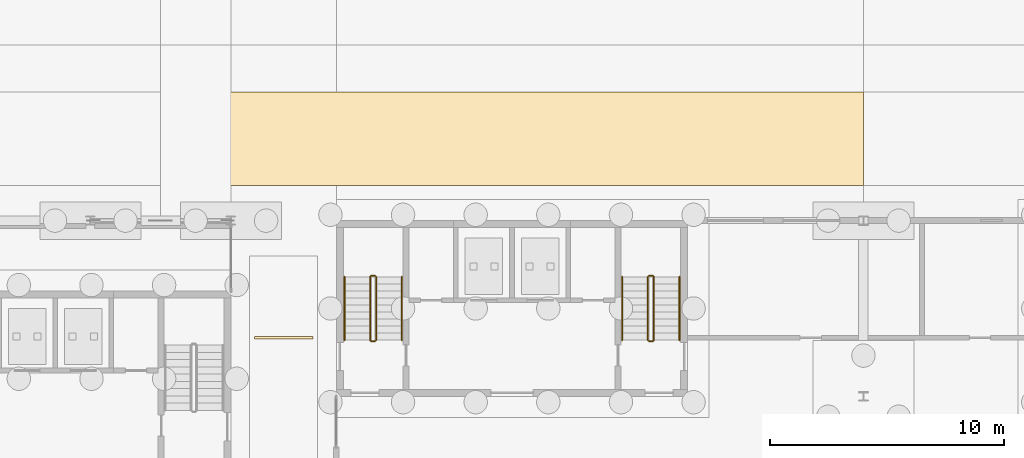
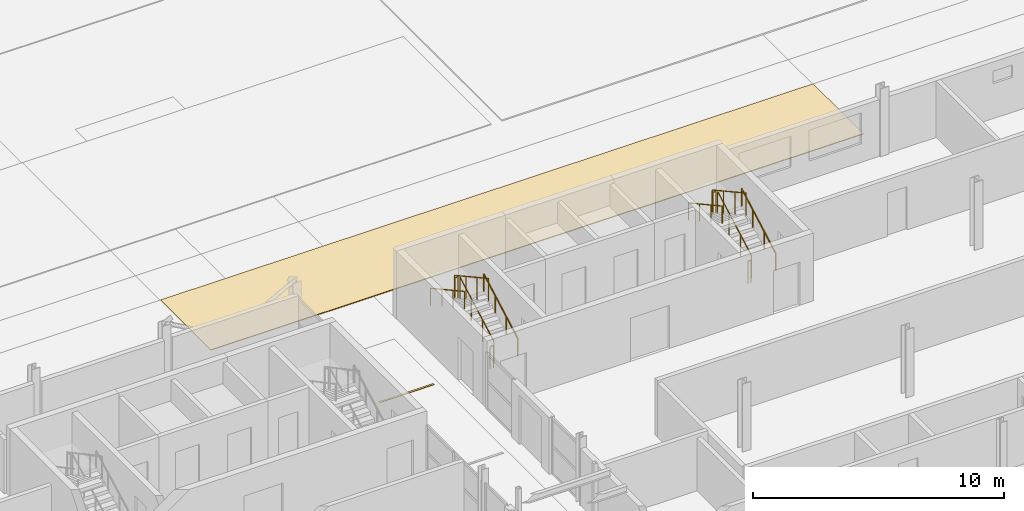
# One storey, part 109 of 130: 12 railings, 2 coverings.
"""IFC4 building model written with IfcOpenShell, lengths in metres."""

from ifc_helpers import new_model, si_unit, direction, frame, origin, origin_2d, place, context, subcontext, project, spatial, polyline, circle, outline, extrude, material, layer, layer_set, type_object, element, save


model = new_model("IFC4")

# Units and contexts
model_context = context("Model", 3, precision=1e-05, world=origin(), true_north=direction((0.0, 1.0)))
body_context = subcontext(model_context, "Body", "Model", "MODEL_VIEW")
ifc_project = project(units=[si_unit("LENGTHUNIT", "METRE"), si_unit("AREAUNIT", "SQUARE_METRE"), si_unit("VOLUMEUNIT", "CUBIC_METRE"), si_unit("PLANEANGLEUNIT", "RADIAN"), si_unit("MASSUNIT", "GRAM", prefix="KILO")], contexts=[model_context])

# Site, building, storey
site_placement = place(None, origin())
site = spatial("IfcSite", under=ifc_project, at=site_placement, CompositionType="ELEMENT")
building_placement = place(site_placement, origin())
building = spatial("IfcBuilding", under=site, at=building_placement, Name="Parallax Yard Mobility Hub", CompositionType="ELEMENT")
storey_placement = place(building_placement, origin())
storey = spatial("IfcBuildingStorey", under=building, at=storey_placement, Name="L00", CompositionType="ELEMENT", Elevation=0.0)

# Coverings
ifc_material_1 = material(Name="Thermoplastic road marking")
ifc_layer_1 = layer(ifc_material_1, 0.0048828125)
ifc_layer_set_1 = layer_set([ifc_layer_1], Name="Bay marking strip 5")
covering_type_1 = type_object("IfcCoveringType", Name="Bay marking strip 5", PredefinedType="USERDEFINED", material=ifc_layer_set_1)
covering_1_placement = place(storey_placement, frame((0.0, 0.0, 0.0400390625)))
element("IfcCovering", 1, at=covering_1_placement, inside=storey, type_object=covering_type_1, Name="Taxi rank bay line 8", ObjectType="ROAD MARKING", PredefinedType="USERDEFINED", context=body_context, shape_type="SweptSolid", body=[
    extrude(outline(polyline([(96.5, 47.449951171875), (96.5, 47.550048828125), (94.0, 47.550048828125), (94.0, 47.449951171875), (96.5, 47.449951171875)])), origin(), (0.0, 0.0, 1.0), 0.0048828125),
])
ifc_material_2 = material(Name="Concrete fc' 30 MPa", Category="concrete")
ifc_layer_2 = layer(ifc_material_2, 0.0400390625)
ifc_layer_set_2 = layer_set([ifc_layer_2], Name="Footway paving, Concrete fc' 30 MPa pavers 40")
covering_type_2 = type_object("IfcCoveringType", Name="Footway paving, Concrete fc' 30 MPa pavers 40", PredefinedType="USERDEFINED", material=ifc_layer_set_2)
covering_2_placement = place(storey_placement, origin())
element("IfcCovering", 2, at=covering_2_placement, inside=storey, type_object=covering_type_2, Name="Yard footway south surfacing 4", ObjectType="PAVING", PredefinedType="USERDEFINED", context=body_context, shape_type="SweptSolid", body=[
    extrude(outline(polyline([(120.0, 58.0), (120.0, 54.0), (90.0, 54.0), (90.0, 58.0), (120.0, 58.0)])), origin(), (0.0, 0.0, 1.0), 0.0400390625),
])

# Railings
ifc_material_3 = material(Name="Steel ASTM A36", Category="steel")
railing_type_1 = type_object("IfcRailingType", Name="Stair guard 1100", PredefinedType="GUARDRAIL", material=ifc_material_3)
railing_1_placement = place(storey_placement, frame((99.199951171875, 47.39990234375, 0.1650390625)))
element("IfcRailing", 3, at=railing_1_placement, inside=storey, type_object=railing_type_1, Name="L00 ST11 stair guard 1", PredefinedType="GUARDRAIL", context=body_context, shape_type="SweptSolid", body=[
    extrude(circle(Radius=0.02392578125, at=origin_2d()), frame((0.0, 0.0, 1.076171875), z_axis=(0.0, 0.876249361297, 0.481857921827), x_axis=(-1.0, 0.0, 0.0)), (0.0, 0.0, 1.0), 3.08154296875),
    extrude(circle(Radius=0.02099609375, at=origin_2d()), origin(), (0.0, 0.0, 1.0), 1.052001953125),
    extrude(circle(Radius=0.02099609375, at=origin_2d()), frame((0.0, 0.900146484375, 0.494873046875)), (0.0, 0.0, 1.0), 1.052001953125),
    extrude(circle(Radius=0.02099609375, at=origin_2d()), frame((0.0, 1.800048828125, 0.989990234375)), (0.0, 0.0, 1.0), 1.052001953125),
    extrude(circle(Radius=0.02099609375, at=origin_2d()), frame((0.0, 2.7001953125, 1.48486328125)), (0.0, 0.0, 1.0), 1.052001953125),
])
railing_2_placement = place(storey_placement, frame((99.14990234375, 50.14990234375, 1.64990234375)))
element("IfcRailing", 4, at=railing_2_placement, inside=storey, type_object=railing_type_1, Name="L00 ST11 stair guard 2", PredefinedType="GUARDRAIL", context=body_context, shape_type="SweptSolid", body=[
    extrude(circle(Radius=0.02392578125, at=origin_2d()), frame((0.0, 0.0, 1.076171875), z_axis=(-1.0, 0.0, 0.0), x_axis=(0.0, -1.0, 0.0)), (0.0, 0.0, 1.0), 0.14990234375),
    extrude(circle(Radius=0.02099609375, at=origin_2d()), origin(), (0.0, 0.0, 1.0), 1.052001953125),
    extrude(circle(Radius=0.02099609375, at=origin_2d()), frame((-0.14990234375, 0.0, 0.0)), (0.0, 0.0, 1.0), 1.052001953125),
])
railing_3_placement = place(storey_placement, frame((98.949951171875, 50.10009765625, 1.81494140625)))
element("IfcRailing", 5, at=railing_3_placement, inside=storey, type_object=railing_type_1, Name="L00 ST11 stair guard 3", PredefinedType="GUARDRAIL", context=body_context, shape_type="SweptSolid", body=[
    extrude(circle(Radius=0.02392578125, at=origin_2d()), frame((0.0, 0.0, 1.076171875), z_axis=(0.0, -0.876215908677, 0.481918749772), x_axis=(1.0, 0.0, 0.0)), (0.0, 0.0, 1.0), 3.08154296875),
    extrude(circle(Radius=0.02099609375, at=origin_2d()), origin(), (0.0, 0.0, 1.0), 1.052001953125),
    extrude(circle(Radius=0.02099609375, at=origin_2d()), frame((0.0, -0.900146484375, 0.4951171875)), (0.0, 0.0, 1.0), 1.052001953125),
    extrude(circle(Radius=0.02099609375, at=origin_2d()), frame((0.0, -1.800048828125, 0.989990234375)), (0.0, 0.0, 1.0), 1.052001953125),
    extrude(circle(Radius=0.02099609375, at=origin_2d()), frame((0.0, -2.7001953125, 1.485107421875)), (0.0, 0.0, 1.0), 1.052001953125),
])
railing_4_placement = place(storey_placement, frame((99.14990234375, 47.35009765625, 0.0)))
element("IfcRailing", 6, at=railing_4_placement, inside=storey, type_object=railing_type_1, Name="L00 ST11 stair guard 4", PredefinedType="GUARDRAIL", context=body_context, shape_type="SweptSolid", body=[
    extrude(circle(Radius=0.02392578125, at=origin_2d()), frame((0.0, 0.0, 1.076171875), z_axis=(-1.0, 0.0, 0.0), x_axis=(0.0, -1.0, 0.0)), (0.0, 0.0, 1.0), 0.14990234375),
    extrude(circle(Radius=0.02099609375, at=origin_2d()), origin(), (0.0, 0.0, 1.0), 1.052001953125),
    extrude(circle(Radius=0.02099609375, at=origin_2d()), frame((-0.14990234375, 0.0, 0.0)), (0.0, 0.0, 1.0), 1.052001953125),
])
railing_5_placement = place(storey_placement, frame((111.050048828125, 47.39990234375, 0.1650390625)))
element("IfcRailing", 7, at=railing_5_placement, inside=storey, type_object=railing_type_1, Name="L00 ST12 stair guard 1", PredefinedType="GUARDRAIL", context=body_context, shape_type="SweptSolid", body=[
    extrude(circle(Radius=0.02392578125, at=origin_2d()), frame((0.0, 0.0, 1.076171875), z_axis=(0.0, 0.876249361297, 0.481857921827), x_axis=(-1.0, 0.0, 0.0)), (0.0, 0.0, 1.0), 3.08154296875),
    extrude(circle(Radius=0.02099609375, at=origin_2d()), origin(), (0.0, 0.0, 1.0), 1.052001953125),
    extrude(circle(Radius=0.02099609375, at=origin_2d()), frame((0.0, 0.900146484375, 0.494873046875)), (0.0, 0.0, 1.0), 1.052001953125),
    extrude(circle(Radius=0.02099609375, at=origin_2d()), frame((0.0, 1.800048828125, 0.989990234375)), (0.0, 0.0, 1.0), 1.052001953125),
    extrude(circle(Radius=0.02099609375, at=origin_2d()), frame((0.0, 2.7001953125, 1.48486328125)), (0.0, 0.0, 1.0), 1.052001953125),
])
railing_6_placement = place(storey_placement, frame((111.0, 50.14990234375, 1.64990234375)))
element("IfcRailing", 8, at=railing_6_placement, inside=storey, type_object=railing_type_1, Name="L00 ST12 stair guard 2", PredefinedType="GUARDRAIL", context=body_context, shape_type="SweptSolid", body=[
    extrude(circle(Radius=0.02392578125, at=origin_2d()), frame((0.0, 0.0, 1.076171875), z_axis=(-1.0, 0.0, 0.0), x_axis=(0.0, -1.0, 0.0)), (0.0, 0.0, 1.0), 0.14990234375),
    extrude(circle(Radius=0.02099609375, at=origin_2d()), origin(), (0.0, 0.0, 1.0), 1.052001953125),
    extrude(circle(Radius=0.02099609375, at=origin_2d()), frame((-0.14990234375, 0.0, 0.0)), (0.0, 0.0, 1.0), 1.052001953125),
])
railing_7_placement = place(storey_placement, frame((110.800048828125, 50.10009765625, 1.81494140625)))
element("IfcRailing", 9, at=railing_7_placement, inside=storey, type_object=railing_type_1, Name="L00 ST12 stair guard 3", PredefinedType="GUARDRAIL", context=body_context, shape_type="SweptSolid", body=[
    extrude(circle(Radius=0.02392578125, at=origin_2d()), frame((0.0, 0.0, 1.076171875), z_axis=(0.0, -0.876215908677, 0.481918749772), x_axis=(1.0, 0.0, 0.0)), (0.0, 0.0, 1.0), 3.08154296875),
    extrude(circle(Radius=0.02099609375, at=origin_2d()), origin(), (0.0, 0.0, 1.0), 1.052001953125),
    extrude(circle(Radius=0.02099609375, at=origin_2d()), frame((0.0, -0.900146484375, 0.4951171875)), (0.0, 0.0, 1.0), 1.052001953125),
    extrude(circle(Radius=0.02099609375, at=origin_2d()), frame((0.0, -1.800048828125, 0.989990234375)), (0.0, 0.0, 1.0), 1.052001953125),
    extrude(circle(Radius=0.02099609375, at=origin_2d()), frame((0.0, -2.7001953125, 1.485107421875)), (0.0, 0.0, 1.0), 1.052001953125),
])
railing_8_placement = place(storey_placement, frame((111.0, 47.35009765625, 0.0)))
element("IfcRailing", 10, at=railing_8_placement, inside=storey, type_object=railing_type_1, Name="L00 ST12 stair guard 4", PredefinedType="GUARDRAIL", context=body_context, shape_type="SweptSolid", body=[
    extrude(circle(Radius=0.02392578125, at=origin_2d()), frame((0.0, 0.0, 1.076171875), z_axis=(-1.0, 0.0, 0.0), x_axis=(0.0, -1.0, 0.0)), (0.0, 0.0, 1.0), 0.14990234375),
    extrude(circle(Radius=0.02099609375, at=origin_2d()), origin(), (0.0, 0.0, 1.0), 1.052001953125),
    extrude(circle(Radius=0.02099609375, at=origin_2d()), frame((-0.14990234375, 0.0, 0.0)), (0.0, 0.0, 1.0), 1.052001953125),
])
railing_type_2 = type_object("IfcRailingType", Name="Stair handrail", PredefinedType="HANDRAIL", material=ifc_material_3)
railing_9_placement = place(storey_placement, frame((100.300048828125, 47.39990234375, 0.1650390625)))
element("IfcRailing", 11, at=railing_9_placement, inside=storey, type_object=railing_type_2, Name="L00 ST11 stair handrail 1", PredefinedType="HANDRAIL", context=body_context, shape_type="SweptSolid", body=[
    extrude(circle(Radius=0.02392578125, at=origin_2d()), frame((0.0, 0.0, 0.8310546875), z_axis=(0.0, 0.876249361297, 0.481857921827), x_axis=(-1.0, 0.0, 0.0)), (0.0, 0.0, 1.0), 3.08154296875),
    extrude(circle(Radius=0.02099609375, at=origin_2d()), origin(), (0.0, 0.0, 1.0), 0.806884765625),
    extrude(circle(Radius=0.02099609375, at=origin_2d()), frame((0.0, 0.900146484375, 0.494873046875)), (0.0, 0.0, 1.0), 0.806884765625),
    extrude(circle(Radius=0.02099609375, at=origin_2d()), frame((0.0, 1.800048828125, 0.989990234375)), (0.0, 0.0, 1.0), 0.806884765625),
    extrude(circle(Radius=0.02099609375, at=origin_2d()), frame((0.0, 2.7001953125, 1.48486328125)), (0.0, 0.0, 1.0), 0.806884765625),
])
railing_10_placement = place(storey_placement, frame((97.85009765625, 50.10009765625, 1.81494140625)))
element("IfcRailing", 12, at=railing_10_placement, inside=storey, type_object=railing_type_2, Name="L00 ST11 stair handrail 2", PredefinedType="HANDRAIL", context=body_context, shape_type="SweptSolid", body=[
    extrude(circle(Radius=0.02392578125, at=origin_2d()), frame((0.0, 0.0, 0.8310546875), z_axis=(0.0, -0.876215908677, 0.481918749772), x_axis=(1.0, 0.0, 0.0)), (0.0, 0.0, 1.0), 3.08154296875),
    extrude(circle(Radius=0.02099609375, at=origin_2d()), origin(), (0.0, 0.0, 1.0), 0.806884765625),
    extrude(circle(Radius=0.02099609375, at=origin_2d()), frame((0.0, -0.900146484375, 0.4951171875)), (0.0, 0.0, 1.0), 0.806884765625),
    extrude(circle(Radius=0.02099609375, at=origin_2d()), frame((0.0, -1.800048828125, 0.989990234375)), (0.0, 0.0, 1.0), 0.806884765625),
    extrude(circle(Radius=0.02099609375, at=origin_2d()), frame((0.0, -2.7001953125, 1.485107421875)), (0.0, 0.0, 1.0), 0.806884765625),
])
railing_11_placement = place(storey_placement, frame((112.14990234375, 47.39990234375, 0.1650390625)))
element("IfcRailing", 13, at=railing_11_placement, inside=storey, type_object=railing_type_2, Name="L00 ST12 stair handrail 1", PredefinedType="HANDRAIL", context=body_context, shape_type="SweptSolid", body=[
    extrude(circle(Radius=0.02392578125, at=origin_2d()), frame((0.0, 0.0, 0.8310546875), z_axis=(0.0, 0.876249361297, 0.481857921827), x_axis=(-1.0, 0.0, 0.0)), (0.0, 0.0, 1.0), 3.08154296875),
    extrude(circle(Radius=0.02099609375, at=origin_2d()), origin(), (0.0, 0.0, 1.0), 0.806884765625),
    extrude(circle(Radius=0.02099609375, at=origin_2d()), frame((0.0, 0.900146484375, 0.494873046875)), (0.0, 0.0, 1.0), 0.806884765625),
    extrude(circle(Radius=0.02099609375, at=origin_2d()), frame((0.0, 1.800048828125, 0.989990234375)), (0.0, 0.0, 1.0), 0.806884765625),
    extrude(circle(Radius=0.02099609375, at=origin_2d()), frame((0.0, 2.7001953125, 1.48486328125)), (0.0, 0.0, 1.0), 0.806884765625),
])
railing_12_placement = place(storey_placement, frame((109.699951171875, 50.10009765625, 1.81494140625)))
element("IfcRailing", 14, at=railing_12_placement, inside=storey, type_object=railing_type_2, Name="L00 ST12 stair handrail 2", PredefinedType="HANDRAIL", context=body_context, shape_type="SweptSolid", body=[
    extrude(circle(Radius=0.02392578125, at=origin_2d()), frame((0.0, 0.0, 0.8310546875), z_axis=(0.0, -0.876215908677, 0.481918749772), x_axis=(1.0, 0.0, 0.0)), (0.0, 0.0, 1.0), 3.08154296875),
    extrude(circle(Radius=0.02099609375, at=origin_2d()), origin(), (0.0, 0.0, 1.0), 0.806884765625),
    extrude(circle(Radius=0.02099609375, at=origin_2d()), frame((0.0, -0.900146484375, 0.4951171875)), (0.0, 0.0, 1.0), 0.806884765625),
    extrude(circle(Radius=0.02099609375, at=origin_2d()), frame((0.0, -1.800048828125, 0.989990234375)), (0.0, 0.0, 1.0), 0.806884765625),
    extrude(circle(Radius=0.02099609375, at=origin_2d()), frame((0.0, -2.7001953125, 1.485107421875)), (0.0, 0.0, 1.0), 0.806884765625),
])

save(model, "model.ifc")
